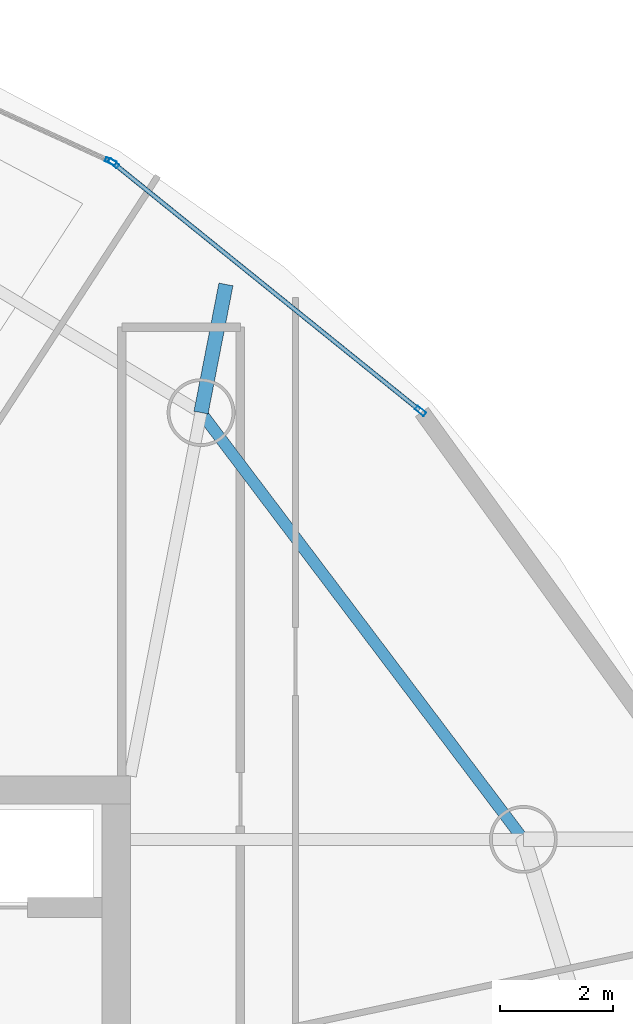
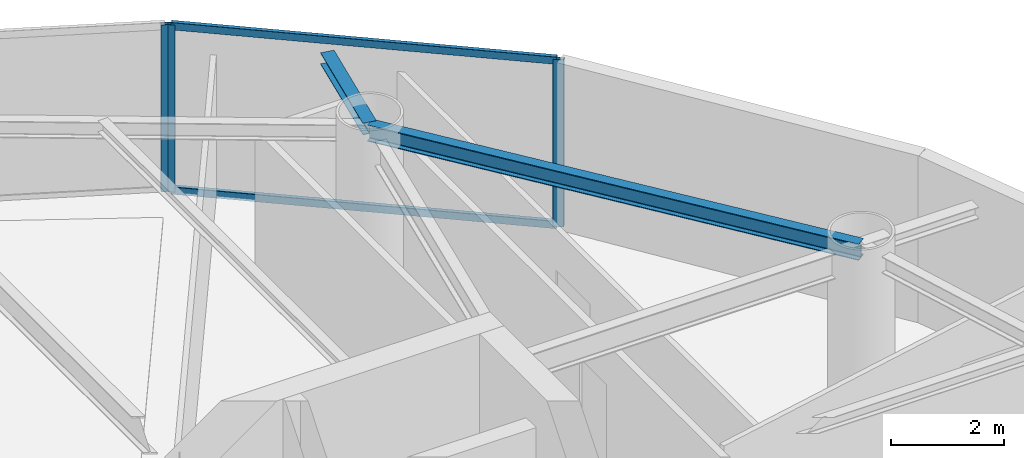
# One storey, part 11 of 19: 5 members, 2 beams, 2 elements without a shape of their own.
"""IFC4 building model written with IfcOpenShell, lengths in metres."""

from ifc_helpers import new_model, si_unit, direction, frame, origin, origin_2d, place, context, subcontext, project, spatial, hollow_rectangle, i_section, extrude, material, layer, layer_set, material_profile, profile_set, type_object, element, aggregate, save


model = new_model("IFC4")

# Units and contexts
model_context = context("Model", 3, precision=1e-05, world=origin(), true_north=direction((0.0, 1.0)))
body_context = subcontext(model_context, "Body", "Model", "MODEL_VIEW")
ifc_project = project(units=[si_unit("LENGTHUNIT", "METRE"), si_unit("AREAUNIT", "SQUARE_METRE"), si_unit("VOLUMEUNIT", "CUBIC_METRE"), si_unit("PLANEANGLEUNIT", "RADIAN"), si_unit("MASSUNIT", "GRAM", prefix="KILO")], contexts=[model_context])

# Site, building, storey
site_placement = place(None, origin())
site = spatial("IfcSite", under=ifc_project, at=site_placement, CompositionType="ELEMENT")
building_placement = place(site_placement, origin())
building = spatial("IfcBuilding", under=site, at=building_placement, Name="Bramvorn Convention Spire", CompositionType="ELEMENT")
storey_placement = place(building_placement, frame((0.0, 0.0, 217.39990234375)))
storey = spatial("IfcBuildingStorey", under=building, at=storey_placement, Name="L55", CompositionType="ELEMENT", Elevation=217.39990234375)

# Beams
ifc_material_1 = material(Name="Steel CSA G40.21 Grade 350 (350W)", Category="steel")
ifc_material_profile_1 = material_profile(ifc_material_1, i_section(OverallWidth=0.25390625, OverallDepth=0.2529296875, WebThickness=0.008544921875, FlangeThickness=0.01416015625, FilletRadius=0.011962890625, at=origin_2d()))
ifc_profile_set_1 = profile_set([ifc_material_profile_1], Name="Steel CSA G40.21 Grade 350 (350W) - W250X73")
beam_type_1 = type_object("IfcBeamType", Name="BM-W250X73", PredefinedType="BEAM", material=ifc_profile_set_1)
beam_1_placement = place(storey_placement, frame((50.501953125, 39.885009765625, 3.49365234375), z_axis=(0.190996826225, 0.981590654179, 0.0), x_axis=(-0.981590654179, 0.190996826225, 0.0)))
element("IfcBeam", 1, at=beam_1_placement, inside=storey, type_object=beam_type_1, Name="L55 slab-edge cantilever tip beam MC05", PredefinedType="BEAM", context=body_context, shape_type="SweptSolid", body=[
    extrude(i_section(OverallWidth=0.25390625, OverallDepth=0.2529296875, WebThickness=0.008544921875, FlangeThickness=0.01416015625, FilletRadius=0.011962890625, at=origin_2d()), origin(), (0.0, 0.0, 1.0), 2.312255859375),
])
ifc_material_profile_2 = material_profile(ifc_material_1, i_section(OverallWidth=0.205078125, OverallDepth=0.35400390625, WebThickness=0.009521484375, FlangeThickness=0.016845703125, FilletRadius=0.014892578125, at=origin_2d()))
ifc_profile_set_2 = profile_set([ifc_material_profile_2], Name="Steel CSA G40.21 Grade 350 (350W) - W360X79")
beam_type_2 = type_object("IfcBeamType", Name="BM-W360X79", PredefinedType="JOIST", material=ifc_profile_set_2)
beam_2_placement = place(storey_placement, frame((56.21044921875, 32.327392578125, 3.443115234375), z_axis=(-0.602718581414, 0.797953827999, 0.0), x_axis=(-0.797953827999, -0.602718581414, 0.0)))
element("IfcBeam", 2, at=beam_2_placement, inside=storey, type_object=beam_type_2, Name="L55 mega-column ring beam 04", PredefinedType="JOIST", context=body_context, shape_type="SweptSolid", body=[
    extrude(i_section(OverallWidth=0.205078125, OverallDepth=0.35400390625, WebThickness=0.009521484375, FlangeThickness=0.016845703125, FilletRadius=0.014892578125, at=origin_2d()), origin(), (0.0, 0.0, 1.0), 9.47119140625),
])

# Curtain wall, members
ifc_material_2 = material(Name="Anodised Bronze Unitised Curtain Wall", Category="aluminium")
ifc_layer = layer(ifc_material_2, 0.179931640625)
ifc_layer_set = layer_set([ifc_layer], Name="Anodised Bronze Unitised Curtain Wall - CW-OFF-FRIT")
curtain_wall_type = type_object("IfcCurtainWallType", Name="CW-OFF-FRIT", PredefinedType="USERDEFINED", material=ifc_layer_set)
curtain_wall_1_placement = place(storey_placement, origin())
curtain_wall_1 = element("IfcCurtainWall", 3, at=curtain_wall_1_placement, inside=storey, type_object=curtain_wall_type, Name="L55 fritted glass curtain wall 07", ObjectType="UNITISED CURTAIN WALL", PredefinedType="USERDEFINED")
ifc_material_3 = material(Name="Anodised Bronze Aluminium 6063-T6", Category="aluminium")
ifc_material_profile_3 = material_profile(ifc_material_3, hollow_rectangle(XDim=0.080078125, YDim=0.199951171875, WallThickness=0.00390625, InnerFilletRadius=0.0009765625, OuterFilletRadius=0.00390625, at=origin_2d()))
ifc_profile_set_3 = profile_set([ifc_material_profile_3], Name="Anodised Bronze Aluminium 6063-T6 - CWM80X200")
member_type_1 = type_object("IfcMemberType", Name="CW-MUL-180", PredefinedType="MULLION", material=ifc_profile_set_3)
member_1_placement = place(storey_placement, frame((48.95263671875, 44.30029296875, 0.0), z_axis=(0.0, 0.0, 1.0), x_axis=(0.628017911087, 0.778198884189, 0.0)))
member_1 = element("IfcMember", 4, at=member_1_placement, type_object=member_type_1, Name="CW3 mullion 1", PredefinedType="MULLION", context=body_context, shape_type="SweptSolid", body=[
    extrude(hollow_rectangle(XDim=0.080078125, YDim=0.199951171875, WallThickness=0.00390625, InnerFilletRadius=0.0009765625, OuterFilletRadius=0.00390625, at=origin_2d()), origin(), (0.0, 0.0, 1.0), 3.6201171875),
])
member_2_placement = place(storey_placement, frame((54.388916015625, 39.913330078125, 0.0), z_axis=(0.0, 0.0, 1.0), x_axis=(0.628017911087, 0.778198884189, 0.0)))
member_2 = element("IfcMember", 5, at=member_2_placement, type_object=member_type_1, Name="CW3 mullion 2", PredefinedType="MULLION", context=body_context, shape_type="SweptSolid", body=[
    extrude(hollow_rectangle(XDim=0.080078125, YDim=0.199951171875, WallThickness=0.00390625, InnerFilletRadius=0.0009765625, OuterFilletRadius=0.00390625, at=origin_2d()), origin(), (0.0, 0.0, 1.0), 3.6201171875),
])

# Curtain wall, member
curtain_wall_2_placement = place(storey_placement, origin())
curtain_wall_2 = element("IfcCurtainWall", 6, at=curtain_wall_2_placement, inside=storey, type_object=curtain_wall_type, Name="L55 fritted glass curtain wall 08", ObjectType="UNITISED CURTAIN WALL", PredefinedType="USERDEFINED")
member_3_placement = place(storey_placement, frame((48.902099609375, 44.331787109375, 0.0), z_axis=(0.0, 0.0, 1.0), x_axis=(0.41565300402, 0.909523270867, 0.0)))
member_3 = element("IfcMember", 7, at=member_3_placement, type_object=member_type_1, Name="CW3 mullion 2", PredefinedType="MULLION", context=body_context, shape_type="SweptSolid", body=[
    extrude(hollow_rectangle(XDim=0.080078125, YDim=0.199951171875, WallThickness=0.00390625, InnerFilletRadius=0.0009765625, OuterFilletRadius=0.00390625, at=origin_2d()), origin(), (0.0, 0.0, 1.0), 3.6201171875),
])
aggregate(curtain_wall_2, [member_3])

# Member
ifc_material_profile_4 = material_profile(ifc_material_3, hollow_rectangle(XDim=0.080078125, YDim=0.159912109375, WallThickness=0.00390625, InnerFilletRadius=0.0009765625, OuterFilletRadius=0.00390625, at=origin_2d()))
ifc_profile_set_4 = profile_set([ifc_material_profile_4], Name="Anodised Bronze Aluminium 6063-T6 - CWT80X160")
member_type_2 = type_object("IfcMemberType", Name="CW-TRN-150", PredefinedType="USERDEFINED", material=ifc_profile_set_4)
member_4_placement = place(storey_placement, frame((48.97607421875, 44.281494140625, 0.030029296875), z_axis=(0.778196277642, -0.628021140937, 0.0), x_axis=(0.628021140937, 0.778196277642, 0.0)))
member_4 = element("IfcMember", 8, at=member_4_placement, type_object=member_type_2, Name="CW3 transom 1.1", ObjectType="TRANSOM", PredefinedType="USERDEFINED", context=body_context, shape_type="SweptSolid", body=[
    extrude(hollow_rectangle(XDim=0.080078125, YDim=0.159912109375, WallThickness=0.00390625, InnerFilletRadius=0.0009765625, OuterFilletRadius=0.00390625, at=origin_2d()), origin(), (0.0, 0.0, 1.0), 6.925537109375),
])

member_5_placement = place(storey_placement, frame((48.97607421875, 44.281494140625, 3.590087890625), z_axis=(0.778196277642, -0.628021140937, 0.0), x_axis=(0.628021140937, 0.778196277642, 0.0)))
member_5 = element("IfcMember", 9, at=member_5_placement, type_object=member_type_2, Name="CW3 transom 1.2", ObjectType="TRANSOM", PredefinedType="USERDEFINED", context=body_context, shape_type="SweptSolid", body=[
    extrude(hollow_rectangle(XDim=0.080078125, YDim=0.159912109375, WallThickness=0.00390625, InnerFilletRadius=0.0009765625, OuterFilletRadius=0.00390625, at=origin_2d()), origin(), (0.0, 0.0, 1.0), 6.925537109375),
])

aggregate(curtain_wall_1, [member_1, member_2, member_4, member_5])

save(model, "model.ifc")
